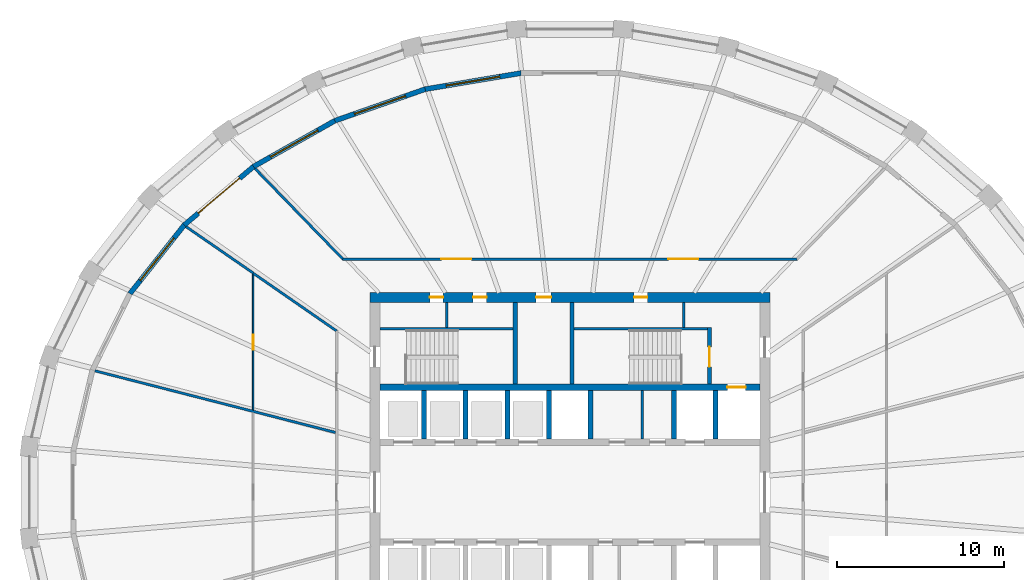
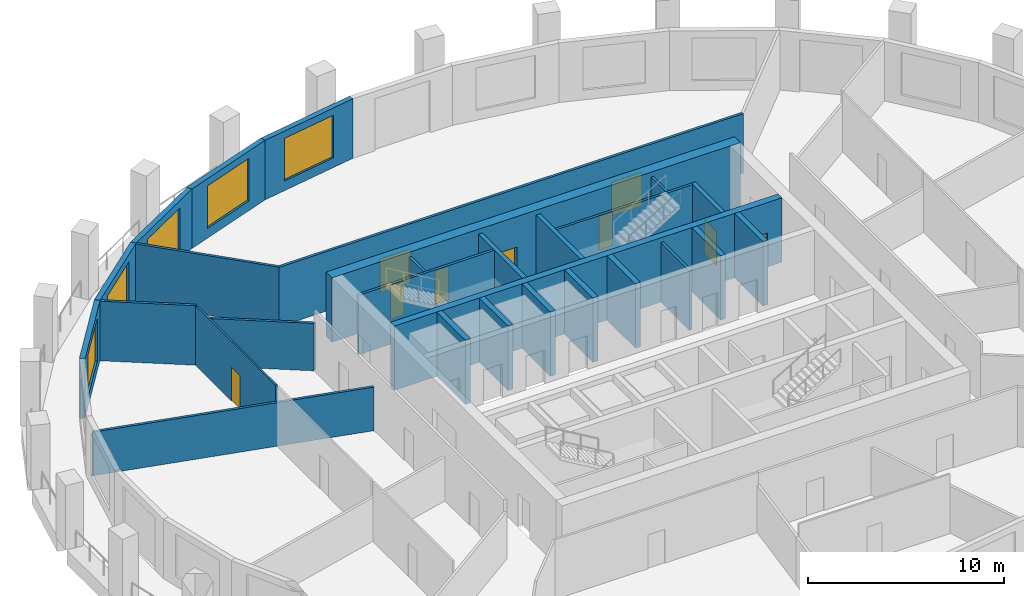
# One storey, part 6 of 10: 28 walls, 10 doors, 4 windows, 14 openings.
"""IFC4 building model written with IfcOpenShell, lengths in metres."""

from ifc_helpers import new_model, si_unit, direction, frame, frame_2d, origin, place, context, subcontext, project, spatial, polyline, rectangle, outline, extrude, material, layer, layer_set, type_object, element, fill, save


model = new_model("IFC4")

# Units and contexts
model_context = context("Model", 3, precision=1e-05, world=origin(), true_north=direction((0.0, 1.0)))
body_context = subcontext(model_context, "Body", "Model", "MODEL_VIEW")
ifc_project = project(units=[si_unit("LENGTHUNIT", "METRE"), si_unit("AREAUNIT", "SQUARE_METRE"), si_unit("VOLUMEUNIT", "CUBIC_METRE"), si_unit("PLANEANGLEUNIT", "RADIAN"), si_unit("MASSUNIT", "GRAM", prefix="KILO")], contexts=[model_context])

# Site, building, storey
site_placement = place(None, origin())
site = spatial("IfcSite", under=ifc_project, at=site_placement, CompositionType="ELEMENT")
building_placement = place(site_placement, origin())
building = spatial("IfcBuilding", under=site, at=building_placement, Name="Halqa Exchange Tower", CompositionType="ELEMENT")
storey_placement = place(building_placement, frame((0.0, 0.0, 194.89990234375)))
storey = spatial("IfcBuildingStorey", under=building, at=storey_placement, Name="L44", CompositionType="ELEMENT", Elevation=194.89990234375)

# Walls
ifc_material_1 = material(Name="Fire-rated gypsum board")
ifc_layer_1 = layer(ifc_material_1, 0.14990234375)
ifc_layer_set_1 = layer_set([ifc_layer_1], Name="Fire-rated gypsum board")
wall_type_1 = type_object("IfcWallType", Name="Fire partition EI 60 150", PredefinedType="PARTITIONING", material=ifc_layer_set_1)
wall_1_placement = place(storey_placement, frame((-28.494384765625, 7.294189453125, 0.0), z_axis=(0.0, 0.0, 1.0), x_axis=(0.96870063855, -0.248231893342, 0.0)))
element("IfcWall", 1, at=wall_1_placement, inside=storey, type_object=wall_type_1, Name="L44-PWL-002", PredefinedType="PARTITIONING", context=body_context, shape_type="SweptSolid", body=[
    extrude(outline(polyline([(0.0, -0.074951171875), (1.97314453125, -0.074951171875), (3.946533203125, -0.074951171875), (5.919677734375, -0.074951171875), (7.892822265625, -0.074951171875), (9.8662109375, -0.074951171875), (9.87158203125, -0.073486328125), (9.8720703125, -0.074951171875), (11.54931640625, -0.074951171875), (13.226806640625, -0.074951171875), (14.904296875, -0.074951171875), (14.904296875, -0.07421875), (14.865966796875, 0.074951171875), (13.156005859375, 0.074951171875), (11.446044921875, 0.074951171875), (9.736083984375, 0.074951171875), (9.730712890625, 0.073486328125), (9.730224609375, 0.074951171875), (7.787109375, 0.074951171875), (5.84375, 0.074951171875), (3.900634765625, 0.074951171875), (1.957275390625, 0.074951171875), (0.013916015625, 0.074951171875), (0.0, 0.0078125), (0.0, -0.074951171875)])), origin(), (0.0, 0.0, 1.0), 2.710205078125),
])
wall_2_placement = place(storey_placement, frame((-23.024169921875, 15.940185546875, 0.0), z_axis=(0.0, 0.0, 1.0), x_axis=(0.822739240619, -0.568418984505, 0.0)))
element("IfcWall", 2, at=wall_2_placement, inside=storey, type_object=wall_type_1, Name="L44-PWL-004", PredefinedType="PARTITIONING", context=body_context, shape_type="SweptSolid", body=[
    extrude(outline(polyline([(4.896728515625, 0.074951171875), (3.272705078125, 0.074951171875), (1.648681640625, 0.074951171875), (0.024658203125, 0.074951171875), (0.004638671875, 0.001708984375), (0.0, -0.0693359375), (0.0, -0.074951171875), (1.63232421875, -0.074951171875), (3.264404296875, -0.074951171875), (4.896728515625, -0.074951171875), (4.896728515625, 0.074951171875)])), origin(), (0.0, 0.0, 1.0), 3.7001953125),
])
wall_3_placement = place(storey_placement, frame((-19.0, 13.14990234375, 0.0), z_axis=(0.0, 0.0, 1.0), x_axis=(0.822301327334, -0.569052306088, 0.0)))
element("IfcWall", 3, at=wall_3_placement, inside=storey, type_object=wall_type_1, Name="L44-PWL-008", PredefinedType="PARTITIONING", context=body_context, shape_type="SweptSolid", body=[
    extrude(outline(polyline([(0.0, -0.074951171875), (1.51025390625, -0.074951171875), (3.0205078125, -0.074951171875), (4.53076171875, -0.074951171875), (6.041015625, -0.074951171875), (6.11962890625, 0.074951171875), (4.589599609375, 0.074951171875), (3.059814453125, 0.074951171875), (1.52978515625, 0.074951171875), (0.0, 0.074951171875), (0.0, -0.074951171875)])), origin(), (0.0, 0.0, 1.0), 2.947021484375),
])
wall_4_placement = place(storey_placement, frame((-18.89306640625, 19.427001953125, 0.0), z_axis=(0.0, 0.0, 1.0), x_axis=(0.696864554069, -0.717202756048, 0.0)))
element("IfcWall", 4, at=wall_4_placement, inside=storey, type_object=wall_type_1, Name="L44-PWL-009", PredefinedType="PARTITIONING", context=body_context, shape_type="SweptSolid", body=[
    extrude(outline(polyline([(0.0, -0.074951171875), (1.899658203125, -0.074951171875), (3.79931640625, -0.074951171875), (5.698974609375, -0.074951171875), (7.5986328125, -0.074951171875), (7.56689453125, 0.0), (7.53515625, 0.074951171875), (5.65771484375, 0.074951171875), (3.7802734375, 0.074951171875), (1.90283203125, 0.074951171875), (0.025390625, 0.074951171875), (0.0048828125, -0.002685546875), (0.0, -0.072998046875), (0.0, -0.074951171875)])), origin(), (0.0, 0.0, 1.0), 3.7001953125),
])

# Wall, openings, doors
wall_5_placement = place(storey_placement, frame((-13.651611328125, 14.0, 0.0), z_axis=(0.0, 0.0, 1.0), x_axis=(1.0, 0.0, 0.0)))
wall_5 = element("IfcWall", 5, at=wall_5_placement, inside=storey, type_object=wall_type_1, Name="L44-PWL-012", PredefinedType="PARTITIONING", context=body_context, shape_type="SweptSolid", body=[
    extrude(outline(polyline([(27.30322265625, -0.074951171875), (27.30322265625, -0.07470703125), (27.239990234375, 0.074951171875), (25.298828125, 0.074951171875), (23.357666015625, 0.074951171875), (21.416259765625, 0.074951171875), (19.47509765625, 0.074951171875), (17.533935546875, 0.074951171875), (15.5927734375, 0.074951171875), (13.651611328125, 0.074951171875), (11.71044921875, 0.074951171875), (9.769287109375, 0.074951171875), (7.828125, 0.074951171875), (5.886962890625, 0.074951171875), (3.945556640625, 0.074951171875), (2.00439453125, 0.074951171875), (0.063232421875, 0.074951171875), (0.0, -0.07470703125), (0.0, -0.074951171875), (1.9501953125, -0.074951171875), (3.900390625, -0.074951171875), (5.8505859375, -0.074951171875), (7.801025390625, -0.074951171875), (9.751220703125, -0.074951171875), (11.701416015625, -0.074951171875), (13.651611328125, -0.074951171875), (15.601806640625, -0.074951171875), (17.552001953125, -0.074951171875), (19.502197265625, -0.074951171875), (21.45263671875, -0.074951171875), (23.40283203125, -0.074951171875), (25.35302734375, -0.074951171875), (27.30322265625, -0.074951171875)])), origin(), (0.0, 0.0, 1.0), 3.7001953125),
])
opening_1_placement = place(wall_5_placement, frame((19.561767578125, 0.0, 0.0)))
opening_1 = element("IfcOpeningElement", 6, at=opening_1_placement, cuts=wall_5, Name="Opening 13-01", PredefinedType="OPENING", context=body_context, shape_type="SweptSolid", body=[
    extrude(rectangle(XDim=1.800048828125, YDim=2.10009765625, at=frame_2d((0.89990234375, 1.050048828125))), frame((0.0, 0.0869140625, 0.0), z_axis=(0.0, -1.0, 0.0), x_axis=(1.0, 0.0, 0.0)), (0.0, 0.0, 1.0), 0.173828125),
])
opening_2_placement = place(wall_5_placement, frame((5.941650390625, 0.0, 0.0)))
opening_2 = element("IfcOpeningElement", 7, at=opening_2_placement, cuts=wall_5, Name="Opening 13-02", PredefinedType="OPENING", context=body_context, shape_type="SweptSolid", body=[
    extrude(rectangle(XDim=1.800048828125, YDim=2.10009765625, at=frame_2d((0.89990234375, 1.050048828125))), frame((0.0, 0.0869140625, 0.0), z_axis=(0.0, -1.0, 0.0), x_axis=(1.0, 0.0, 0.0)), (0.0, 0.0, 1.0), 0.173828125),
])
ifc_material_2 = material(Name="Steel fire door leaf", Category="steel")
door_type_1 = type_object("IfcDoorType", Name="Fire door FD30S double 1800 x 2100", OperationType="DOUBLE_DOOR_SINGLE_SWING", PredefinedType="DOOR", material=ifc_material_2)
door_1_placement = place(opening_1_placement, origin())
door_1 = element("IfcDoor", 8, at=door_1_placement, inside=storey, type_object=door_type_1, Name="L44-IDR-001", OperationType="DOUBLE_DOOR_SINGLE_SWING", OverallHeight=2.10009765625, OverallWidth=1.800048828125, PredefinedType="DOOR", context=body_context, shape_type="SweptSolid", body=[
    extrude(rectangle(XDim=1.800048828125, YDim=2.10009765625, at=frame_2d((0.89990234375, 1.050048828125))), frame((0.0, 0.02490234375, 0.0), z_axis=(0.0, -1.0, 0.0), x_axis=(1.0, 0.0, 0.0)), (0.0, 0.0, 1.0), 0.050048828125),
])
fill(opening_1, door_1)
door_2_placement = place(opening_2_placement, origin())
door_2 = element("IfcDoor", 9, at=door_2_placement, inside=storey, type_object=door_type_1, Name="L44-IDR-002", OperationType="DOUBLE_DOOR_SINGLE_SWING", OverallHeight=2.10009765625, OverallWidth=1.800048828125, PredefinedType="DOOR", context=body_context, shape_type="SweptSolid", body=[
    extrude(rectangle(XDim=1.800048828125, YDim=2.10009765625, at=frame_2d((0.89990234375, 1.050048828125))), frame((0.0, 0.02490234375, 0.0), z_axis=(0.0, -1.0, 0.0), x_axis=(1.0, 0.0, 0.0)), (0.0, 0.0, 1.0), 0.050048828125),
])
fill(opening_2, door_2)

# Wall, opening, door
ifc_material_3 = material(Name="Gypsum board")
ifc_layer_2 = layer(ifc_material_3, 0.10009765625)
ifc_layer_set_2 = layer_set([ifc_layer_2], Name="Gypsum board")
wall_type_2 = type_object("IfcWallType", Name="Partition 100 gypsum", PredefinedType="PARTITIONING", material=ifc_layer_set_2)
wall_6_placement = place(storey_placement, frame((-19.0, 4.926025390625, 0.0), z_axis=(0.0, 0.0, 1.0), x_axis=(0.0, 1.0, 0.0)))
wall_6 = element("IfcWall", 10, at=wall_6_placement, inside=storey, type_object=wall_type_2, Name="L44-PWL-007", PredefinedType="PARTITIONING", context=body_context, shape_type="SweptSolid", body=[
    extrude(outline(polyline([(0.0, -0.050048828125), (1.61962890625, -0.050048828125), (3.2392578125, -0.050048828125), (4.85888671875, -0.050048828125), (6.478515625, -0.050048828125), (8.09814453125, -0.050048828125), (8.162353515625, 0.042724609375), (8.169189453125, 0.0380859375), (8.177001953125, 0.049560546875), (8.177001953125, 0.050048828125), (6.546630859375, 0.050048828125), (4.91650390625, 0.050048828125), (3.2861328125, 0.050048828125), (1.65576171875, 0.050048828125), (0.025390625, 0.050048828125), (0.0, -0.04931640625), (0.0, -0.050048828125)])), origin(), (0.0, 0.0, 1.0), 3.7001953125),
])
opening_3_placement = place(wall_6_placement, frame((3.62890625, 0.0, 0.0)))
opening_3 = element("IfcOpeningElement", 11, at=opening_3_placement, cuts=wall_6, Name="Opening 13-12", PredefinedType="OPENING", context=body_context, shape_type="SweptSolid", body=[
    extrude(rectangle(XDim=0.89990234375, YDim=2.10009765625, at=frame_2d((0.449951171875, 1.050048828125))), frame((0.0, 0.06201171875, 0.0), z_axis=(0.0, -1.0, 0.0), x_axis=(1.0, 0.0, 0.0)), (0.0, 0.0, 1.0), 0.1240234375),
])
ifc_material_4 = material(Name="Timber door leaf", Category="wood")
door_type_2 = type_object("IfcDoorType", Name="Door 900 x 2100", OperationType="SINGLE_SWING_LEFT", PredefinedType="DOOR", material=ifc_material_4)
door_3_placement = place(opening_3_placement, frame((0.89990234375, 0.0, 0.0), z_axis=(0.0, 0.0, 1.0), x_axis=(-1.0, 0.0, 0.0)))
door_3 = element("IfcDoor", 12, at=door_3_placement, inside=storey, type_object=door_type_2, Name="L44-IDR-012", OperationType="SINGLE_SWING_RIGHT", OverallHeight=2.10009765625, OverallWidth=0.89990234375, PredefinedType="DOOR", context=body_context, shape_type="SweptSolid", body=[
    extrude(rectangle(XDim=0.89990234375, YDim=2.10009765625, at=frame_2d((0.449951171875, 1.050048828125))), frame((0.0, 0.02490234375, 0.0), z_axis=(0.0, -1.0, 0.0), x_axis=(1.0, 0.0, 0.0)), (0.0, 0.0, 1.0), 0.050048828125),
])
fill(opening_3, door_3)

# Walls
ifc_layer_3 = layer(ifc_material_3, 0.14990234375)
ifc_layer_set_3 = layer_set([ifc_layer_3], Name="Gypsum board")
wall_type_3 = type_object("IfcWallType", Name="Penthouse riser wall 150 gypsum", PredefinedType="PARTITIONING", material=ifc_layer_set_3)
for number, where, z_axis, x_axis, name in (
    (13, (-7.39990234375, 9.89990234375, 0.0), (0.0, 0.0, 1.0), (0.0, 1.0, 0.0), "Partition W7.400 N"),
    (14, (6.824951171875, 9.89990234375, 0.0), (0.0, 0.0, 1.0), (0.0, 1.0, 0.0), "Firefighting lobby west wall N"),
):
    element("IfcWall", number, at=place(storey_placement, frame(where, z_axis=z_axis, x_axis=x_axis)), inside=storey, type_object=wall_type_3, Name=name, PredefinedType="PARTITIONING", context=body_context, shape_type="SweptSolid", body=[
        extrude(rectangle(XDim=1.5, YDim=0.14990234375, at=frame_2d((0.75, 0.0))), origin(), (0.0, 0.0, 1.0), 3.7001953125),
    ])
wall_7_placement = place(storey_placement, frame((4.35009765625, 3.199951171875, 0.0), z_axis=(0.0, 0.0, 1.0), x_axis=(0.0, 1.0, 0.0)))
element("IfcWall", 15, at=wall_7_placement, inside=storey, type_object=wall_type_3, Name="Freed bay partition NE4.350", PredefinedType="PARTITIONING", context=body_context, shape_type="SweptSolid", body=[
    extrude(rectangle(XDim=2.900146484375, YDim=0.14990234375, at=frame_2d((1.4501953125, 0.0))), origin(), (0.0, 0.0, 1.0), 3.7001953125),
])
ifc_material_5 = material(Name="Concrete C60/75", Category="concrete")
ifc_layer_4 = layer(ifc_material_5, 0.300048828125)
ifc_layer_set_4 = layer_set([ifc_layer_4], Name="Concrete C60/75")
wall_type_4 = type_object("IfcWallType", Name="RC core wall 300", PredefinedType="SHEAR", material=ifc_layer_set_4)
for number, where, z_axis, x_axis, name in (
    (16, (-8.75, 3.199951171875, 0.0), (0.0, 0.0, 1.0), (0.0, 1.0, 0.0), "Shaft divider N1"),
    (17, (-6.25, 3.199951171875, 0.0), (0.0, 0.0, 1.0), (0.0, 1.0, 0.0), "Shaft divider N2"),
    (18, (-3.75, 3.199951171875, 0.0), (0.0, 0.0, 1.0), (0.0, 1.0, 0.0), "Shaft divider N3"),
    (19, (-1.25, 3.199951171875, 0.0), (0.0, 0.0, 1.0), (0.0, 1.0, 0.0), "Shaft divider N4"),
    (20, (1.25, 3.199951171875, 0.0), (0.0, 0.0, 1.0), (0.0, 1.0, 0.0), "Shaft divider N5"),
    (21, (6.25, 3.199951171875, 0.0), (0.0, 0.0, 1.0), (0.0, 1.0, 0.0), "Shaft divider N7"),
    (22, (8.75, 3.199951171875, 0.0), (0.0, 0.0, 1.0), (0.0, 1.0, 0.0), "Shaft divider N8"),
):
    element("IfcWall", number, at=place(storey_placement, frame(where, z_axis=z_axis, x_axis=x_axis)), inside=storey, type_object=wall_type_4, Name=name, PredefinedType="SHEAR", context=body_context, shape_type="SweptSolid", body=[
        extrude(rectangle(XDim=2.900146484375, YDim=0.300048828125, at=frame_2d((1.4501953125, 0.0))), origin(), (0.0, 0.0, 1.0), 4.0),
    ])

# Wall, opening, door
ifc_material_6 = material(Name="Concrete C70/85", Category="concrete")
ifc_layer_5 = layer(ifc_material_6, 0.39990234375)
ifc_layer_set_5 = layer_set([ifc_layer_5], Name="Concrete C70/85")
wall_type_5 = type_object("IfcWallType", Name="RC core wall 400 C70/85", PredefinedType="SHEAR", material=ifc_layer_set_5)
wall_8_placement = place(storey_placement, frame((-11.39990234375, 6.300048828125, 0.0), z_axis=(0.0, 0.0, 1.0), x_axis=(1.0, 0.0, 0.0)))
wall_8 = element("IfcWall", 23, at=wall_8_placement, inside=storey, type_object=wall_type_5, Name="Lift row back wall N", PredefinedType="SHEAR", context=body_context, shape_type="SweptSolid", body=[
    extrude(rectangle(XDim=22.7998046875, YDim=0.39990234375, at=frame_2d((11.39990234375, 0.0))), origin(), (0.0, 0.0, 1.0), 4.0),
])
opening_4_placement = place(wall_8_placement, frame((20.85009765625, 0.0, 0.0)))
opening_4 = element("IfcOpeningElement", 24, at=opening_4_placement, cuts=wall_8, Name="Opening LD-FF1-T13", PredefinedType="OPENING", context=body_context, shape_type="SweptSolid", body=[
    extrude(rectangle(XDim=1.10009765625, YDim=2.10009765625, at=frame_2d((0.550048828125, 1.050048828125))), frame((0.0, 0.2119140625, 0.0), z_axis=(0.0, -1.0, 0.0), x_axis=(1.0, 0.0, 0.0)), (0.0, 0.0, 1.0), 0.423828125),
])
ifc_material_7 = material(Name="Stainless steel", Category="steel")
door_type_3 = type_object("IfcDoorType", Name="Lift landing door 1100 x 2100", OperationType="SLIDING_TO_LEFT", PredefinedType="DOOR", material=ifc_material_7)
door_4_placement = place(opening_4_placement, origin())
door_4 = element("IfcDoor", 25, at=door_4_placement, inside=storey, type_object=door_type_3, Name="Lift landing door FF1", OperationType="SLIDING_TO_LEFT", OverallHeight=2.10009765625, OverallWidth=1.10009765625, PredefinedType="DOOR", context=body_context, shape_type="SweptSolid", body=[
    extrude(rectangle(XDim=1.10009765625, YDim=2.10009765625, at=frame_2d((0.550048828125, 1.050048828125))), frame((0.0, 0.02490234375, 0.0), z_axis=(0.0, -1.0, 0.0), x_axis=(1.0, 0.0, 0.0)), (0.0, 0.0, 1.0), 0.050048828125),
])
fill(opening_4, door_4)

# Wall, openings, doors
ifc_layer_6 = layer(ifc_material_6, 0.60009765625)
ifc_layer_set_6 = layer_set([ifc_layer_6], Name="Concrete C70/85")
wall_type_6 = type_object("IfcWallType", Name="RC core wall 600 C70/85", PredefinedType="SHEAR", material=ifc_layer_set_6)
wall_9_placement = place(storey_placement, frame((-12.0, 11.699951171875, 0.0), z_axis=(0.0, 0.0, 1.0), x_axis=(1.0, 0.0, 0.0)))
wall_9 = element("IfcWall", 26, at=wall_9_placement, inside=storey, type_object=wall_type_6, Name="Core wall north", PredefinedType="SHEAR", context=body_context, shape_type="SweptSolid", body=[
    extrude(rectangle(XDim=24.0, YDim=0.60009765625, at=frame_2d((12.0, 0.0))), origin(), (0.0, 0.0, 1.0), 4.0),
])
opening_5_placement = place(wall_9_placement, frame((9.97509765625, 0.0, 0.0)))
opening_5 = element("IfcOpeningElement", 27, at=opening_5_placement, cuts=wall_9, Name="Opening T13-C21", PredefinedType="OPENING", context=body_context, shape_type="SweptSolid", body=[
    extrude(rectangle(XDim=0.89990234375, YDim=2.10009765625, at=frame_2d((0.449951171875, 1.050048828125))), frame((0.0, 0.31201171875, 0.0), z_axis=(0.0, -1.0, 0.0), x_axis=(1.0, 0.0, 0.0)), (0.0, 0.0, 1.0), 0.6240234375),
])
opening_6_placement = place(wall_9_placement, frame((3.60009765625, 0.0, 0.0)))
opening_6 = element("IfcOpeningElement", 28, at=opening_6_placement, cuts=wall_9, Name="Opening T13-C22", PredefinedType="OPENING", context=body_context, shape_type="SweptSolid", body=[
    extrude(rectangle(XDim=0.800048828125, YDim=2.10009765625, at=frame_2d((0.39990234375, 1.050048828125))), frame((0.0, 0.31201171875, 0.0), z_axis=(0.0, -1.0, 0.0), x_axis=(1.0, 0.0, 0.0)), (0.0, 0.0, 1.0), 0.6240234375),
])
opening_7_placement = place(wall_9_placement, frame((6.199951171875, 0.0, 0.0)))
opening_7 = element("IfcOpeningElement", 29, at=opening_7_placement, cuts=wall_9, Name="Opening T13-C23", PredefinedType="OPENING", context=body_context, shape_type="SweptSolid", body=[
    extrude(rectangle(XDim=0.800048828125, YDim=2.10009765625, at=frame_2d((0.39990234375, 1.050048828125))), frame((0.0, 0.31201171875, 0.0), z_axis=(0.0, -1.0, 0.0), x_axis=(1.0, 0.0, 0.0)), (0.0, 0.0, 1.0), 0.6240234375),
])
opening_8_placement = place(wall_9_placement, frame((15.85009765625, 0.0, 0.0)))
opening_8 = element("IfcOpeningElement", 30, at=opening_8_placement, cuts=wall_9, Name="Opening T13-C24", PredefinedType="OPENING", context=body_context, shape_type="SweptSolid", body=[
    extrude(rectangle(XDim=0.800048828125, YDim=2.10009765625, at=frame_2d((0.39990234375, 1.050048828125))), frame((0.0, 0.31201171875, 0.0), z_axis=(0.0, -1.0, 0.0), x_axis=(1.0, 0.0, 0.0)), (0.0, 0.0, 1.0), 0.6240234375),
])
ifc_material_8 = material(Name="Timber fire door leaf", Category="wood")
door_type_4 = type_object("IfcDoorType", Name="Core room door FD30 900 x 2100", OperationType="SINGLE_SWING_LEFT", PredefinedType="DOOR", material=ifc_material_8)
door_5_placement = place(opening_5_placement, frame((0.89990234375, 0.0, 0.0), z_axis=(0.0, 0.0, 1.0), x_axis=(-1.0, 0.0, 0.0)))
door_5 = element("IfcDoor", 31, at=door_5_placement, inside=storey, type_object=door_type_4, Name="Core room door", OperationType="SINGLE_SWING_RIGHT", OverallHeight=2.10009765625, OverallWidth=0.89990234375, PredefinedType="DOOR", context=body_context, shape_type="SweptSolid", body=[
    extrude(rectangle(XDim=0.89990234375, YDim=2.10009765625, at=frame_2d((0.449951171875, 1.050048828125))), frame((0.0, 0.02490234375, 0.0), z_axis=(0.0, -1.0, 0.0), x_axis=(1.0, 0.0, 0.0)), (0.0, 0.0, 1.0), 0.050048828125),
])
fill(opening_5, door_5)
door_type_5 = type_object("IfcDoorType", Name="Riser door FD60 800 x 2100", OperationType="SINGLE_SWING_LEFT", PredefinedType="DOOR", material=ifc_material_2)
door_6_placement = place(opening_6_placement, frame((0.800048828125, 0.0, 0.0), z_axis=(0.0, 0.0, 1.0), x_axis=(-1.0, 0.0, 0.0)))
door_6 = element("IfcDoor", 32, at=door_6_placement, inside=storey, type_object=door_type_5, Name="Core room door", OperationType="SINGLE_SWING_RIGHT", OverallHeight=2.10009765625, OverallWidth=0.800048828125, PredefinedType="DOOR", context=body_context, shape_type="SweptSolid", body=[
    extrude(rectangle(XDim=0.800048828125, YDim=2.10009765625, at=frame_2d((0.39990234375, 1.050048828125))), frame((0.0, 0.02490234375, 0.0), z_axis=(0.0, -1.0, 0.0), x_axis=(1.0, 0.0, 0.0)), (0.0, 0.0, 1.0), 0.050048828125),
])
fill(opening_6, door_6)
door_7_placement = place(opening_7_placement, frame((0.800048828125, 0.0, 0.0), z_axis=(0.0, 0.0, 1.0), x_axis=(-1.0, 0.0, 0.0)))
door_7 = element("IfcDoor", 33, at=door_7_placement, inside=storey, type_object=door_type_5, Name="Core room door", OperationType="SINGLE_SWING_RIGHT", OverallHeight=2.10009765625, OverallWidth=0.800048828125, PredefinedType="DOOR", context=body_context, shape_type="SweptSolid", body=[
    extrude(rectangle(XDim=0.800048828125, YDim=2.10009765625, at=frame_2d((0.39990234375, 1.050048828125))), frame((0.0, 0.02490234375, 0.0), z_axis=(0.0, -1.0, 0.0), x_axis=(1.0, 0.0, 0.0)), (0.0, 0.0, 1.0), 0.050048828125),
])
fill(opening_7, door_7)
door_8_placement = place(opening_8_placement, frame((0.800048828125, 0.0, 0.0), z_axis=(0.0, 0.0, 1.0), x_axis=(-1.0, 0.0, 0.0)))
door_8 = element("IfcDoor", 34, at=door_8_placement, inside=storey, type_object=door_type_5, Name="Core room door", OperationType="SINGLE_SWING_RIGHT", OverallHeight=2.10009765625, OverallWidth=0.800048828125, PredefinedType="DOOR", context=body_context, shape_type="SweptSolid", body=[
    extrude(rectangle(XDim=0.800048828125, YDim=2.10009765625, at=frame_2d((0.39990234375, 1.050048828125))), frame((0.0, 0.02490234375, 0.0), z_axis=(0.0, -1.0, 0.0), x_axis=(1.0, 0.0, 0.0)), (0.0, 0.0, 1.0), 0.050048828125),
])
fill(opening_8, door_8)

# Walls
ifc_material_9 = material(Name="Concrete C30/37", Category="concrete")
ifc_layer_7 = layer(ifc_material_9, 0.14990234375)
ifc_layer_set_7 = layer_set([ifc_layer_7], Name="Concrete C30/37")
wall_type_7 = type_object("IfcWallType", Name="RC stair wall 150 C30/37", PredefinedType="SHEAR", material=ifc_layer_set_7)
for number, where, z_axis, x_axis, name in (
    (35, (-11.39990234375, 9.824951171875, 0.0), (0.0, 0.0, 1.0), (1.0, 0.0, 0.0), "Stair ST1 north wall N"),
    (36, (0.25, 9.824951171875, 0.0), (0.0, 0.0, 1.0), (1.0, 0.0, 0.0), "Stair ST2 north wall N"),
):
    element("IfcWall", number, at=place(storey_placement, frame(where, z_axis=z_axis, x_axis=x_axis)), inside=storey, type_object=wall_type_7, Name=name, PredefinedType="SHEAR", context=body_context, shape_type="SweptSolid", body=[
        extrude(rectangle(XDim=8.0, YDim=0.14990234375, at=frame_2d((4.0, 0.0))), origin(), (0.0, 0.0, 1.0), 3.7001953125),
    ])
ifc_layer_8 = layer(ifc_material_9, 0.25)
ifc_layer_set_8 = layer_set([ifc_layer_8], Name="Concrete C30/37")
wall_type_8 = type_object("IfcWallType", Name="RC stair wall 250 C30/37", PredefinedType="SHEAR", material=ifc_layer_set_8)
for number, where, z_axis, x_axis, name in (
    (37, (-3.27490234375, 6.5, 0.0), (0.0, 0.0, 1.0), (0.0, 1.0, 0.0), "Stair ST1 east wall N"),
    (38, (0.125, 6.5, 0.0), (0.0, 0.0, 1.0), (0.0, 1.0, 0.0), "Stair ST2 west wall N"),
):
    element("IfcWall", number, at=place(storey_placement, frame(where, z_axis=z_axis, x_axis=x_axis)), inside=storey, type_object=wall_type_8, Name=name, PredefinedType="SHEAR", context=body_context, shape_type="SweptSolid", body=[
        extrude(rectangle(XDim=4.89990234375, YDim=0.25, at=frame_2d((2.449951171875, 0.0))), origin(), (0.0, 0.0, 1.0), 3.7001953125),
    ])

# Wall, opening, door
wall_10_placement = place(storey_placement, frame((8.375, 6.5, 0.0), z_axis=(0.0, 0.0, 1.0), x_axis=(0.0, 1.0, 0.0)))
wall_10 = element("IfcWall", 39, at=wall_10_placement, inside=storey, type_object=wall_type_8, Name="Stair ST2 east wall N", PredefinedType="SHEAR", context=body_context, shape_type="SweptSolid", body=[
    extrude(rectangle(XDim=3.39990234375, YDim=0.25, at=frame_2d((1.699951171875, 0.0))), origin(), (0.0, 0.0, 1.0), 3.7001953125),
])
opening_9_placement = place(wall_10_placement, frame((1.02490234375, 0.0, 0.0)))
opening_9 = element("IfcOpeningElement", 40, at=opening_9_placement, cuts=wall_10, Name="Opening T13-C16", PredefinedType="OPENING", context=body_context, shape_type="SweptSolid", body=[
    extrude(rectangle(XDim=1.199951171875, YDim=2.10009765625, at=frame_2d((0.60009765625, 1.050048828125))), frame((0.0, 0.136962890625, 0.0), z_axis=(0.0, -1.0, 0.0), x_axis=(1.0, 0.0, 0.0)), (0.0, 0.0, 1.0), 0.27392578125),
])
door_type_6 = type_object("IfcDoorType", Name="Stair door FD90 1200 x 2100", OperationType="SINGLE_SWING_LEFT", PredefinedType="DOOR", material=ifc_material_2)
door_9_placement = place(opening_9_placement, origin())
door_9 = element("IfcDoor", 41, at=door_9_placement, inside=storey, type_object=door_type_6, Name="Stair door ST2", OperationType="SINGLE_SWING_LEFT", OverallHeight=2.10009765625, OverallWidth=1.199951171875, PredefinedType="DOOR", context=body_context, shape_type="SweptSolid", body=[
    extrude(rectangle(XDim=1.199951171875, YDim=2.10009765625, at=frame_2d((0.60009765625, 1.050048828125))), frame((0.0, 0.02490234375, 0.0), z_axis=(0.0, -1.0, 0.0), x_axis=(1.0, 0.0, 0.0)), (0.0, 0.0, 1.0), 0.050048828125),
])
fill(opening_9, door_9)

# Wall, opening, window
ifc_material_10 = material(Name="Limestone cladding", Category="masonry")
ifc_layer_9 = layer(ifc_material_10, 0.0400390625)
ifc_material_11 = material(Name="Ventilated cavity")
ifc_layer_10 = layer(ifc_material_11, 0.030029296875, ventilated=True)
ifc_material_12 = material(Name="Mineral wool insulation")
ifc_layer_11 = layer(ifc_material_12, 0.10009765625)
ifc_layer_12 = layer(ifc_material_9, 0.10009765625)
ifc_material_13 = material(Name="Internal plaster")
ifc_layer_13 = layer(ifc_material_13, 0.030029296875)
ifc_layer_set_9 = layer_set([ifc_layer_9, ifc_layer_10, ifc_layer_11, ifc_layer_12, ifc_layer_13], Name="Stone-faced insulated wall 300")
wall_type_9 = type_object("IfcWallType", Name="Stone-faced insulated wall 300", PredefinedType="STANDARD", material=ifc_layer_set_9)
wall_11_placement = place(storey_placement, frame((-2.931396484375, 25.15380859375, 0.0), z_axis=(0.0, 0.0, 1.0), x_axis=(-0.986207709048, -0.165512400181, 0.0)))
wall_11 = element("IfcWall", 42, at=wall_11_placement, inside=storey, type_object=wall_type_9, Name="Glass-line wall 9", PredefinedType="STANDARD", context=body_context, shape_type="SweptSolid", body=[
    extrude(outline(polyline([(-0.012451171875, -0.14990234375), (5.843505859375, -0.14990234375), (5.818115234375, 0.14990234375), (0.012451171875, 0.14990234375), (-0.012451171875, -0.14990234375)])), origin(), (0.0, 0.0, 1.0), 3.7001953125),
])
opening_10_placement = place(wall_11_placement, frame((1.29052734375, 0.0, 0.60009765625)))
opening_10 = element("IfcOpeningElement", 43, at=opening_10_placement, cuts=wall_11, Name="Opening W-F3-09", PredefinedType="OPENING", context=body_context, shape_type="SweptSolid", body=[
    extrude(rectangle(XDim=3.25, YDim=2.64990234375, at=frame_2d((1.625, 1.324951171875))), frame((0.0, 0.162109375, 0.0), z_axis=(0.0, -1.0, 0.0), x_axis=(1.0, 0.0, 0.0)), (0.0, 0.0, 1.0), 0.323974609375),
])
ifc_material_14 = material(Name="Clear low-emissivity glass in aluminium frame", Category="aluminium")
window_type = type_object("IfcWindowType", Name="Fixed clear glazed window 3250 x 2650", PartitioningType="TRIPLE_PANEL_VERTICAL", PredefinedType="WINDOW", material=ifc_material_14)
window_1_placement = place(opening_10_placement, origin())
window_1 = element("IfcWindow", 44, at=window_1_placement, inside=storey, type_object=window_type, Name="Window 3", OverallHeight=2.64990234375, OverallWidth=3.25, PartitioningType="TRIPLE_PANEL_VERTICAL", PredefinedType="WINDOW", context=body_context, shape_type="SweptSolid", body=[
    extrude(rectangle(XDim=3.25, YDim=2.64990234375, at=frame_2d((1.625, 1.324951171875))), frame((0.0, 0.030029296875, 0.0), z_axis=(0.0, -1.0, 0.0), x_axis=(1.0, 0.0, 0.0)), (0.0, 0.0, 1.0), 0.06005859375),
])
fill(opening_10, window_1)

wall_12_placement = place(storey_placement, frame((-8.681884765625, 24.188720703125, 0.0), z_axis=(0.0, 0.0, 1.0), x_axis=(-0.944020060936, -0.329888048511, 0.0)))
wall_12 = element("IfcWall", 45, at=wall_12_placement, inside=storey, type_object=wall_type_9, Name="Glass-line wall 10", PredefinedType="STANDARD", context=body_context, shape_type="SweptSolid", body=[
    extrude(outline(polyline([(-0.0126953125, -0.14990234375), (5.752685546875, -0.14990234375), (5.725830078125, 0.14990234375), (0.0126953125, 0.14990234375), (-0.0126953125, -0.14990234375)])), origin(), (0.0, 0.0, 1.0), 3.7001953125),
])
opening_11_placement = place(wall_12_placement, frame((1.24462890625, 0.0, 0.60009765625)))
opening_11 = element("IfcOpeningElement", 46, at=opening_11_placement, cuts=wall_12, Name="Opening W-F3-10", PredefinedType="OPENING", context=body_context, shape_type="SweptSolid", body=[
    extrude(rectangle(XDim=3.25, YDim=2.64990234375, at=frame_2d((1.625, 1.324951171875))), frame((0.0, 0.162109375, 0.0), z_axis=(0.0, -1.0, 0.0), x_axis=(1.0, 0.0, 0.0)), (0.0, 0.0, 1.0), 0.323974609375),
])
window_2_placement = place(opening_11_placement, origin())
window_2 = element("IfcWindow", 47, at=window_2_placement, inside=storey, type_object=window_type, Name="Window 3", OverallHeight=2.64990234375, OverallWidth=3.25, PartitioningType="TRIPLE_PANEL_VERTICAL", PredefinedType="WINDOW", context=body_context, shape_type="SweptSolid", body=[
    extrude(rectangle(XDim=3.25, YDim=2.64990234375, at=frame_2d((1.625, 1.324951171875))), frame((0.0, 0.030029296875, 0.0), z_axis=(0.0, -1.0, 0.0), x_axis=(1.0, 0.0, 0.0)), (0.0, 0.0, 1.0), 0.06005859375),
])
fill(opening_11, window_2)

wall_13_placement = place(storey_placement, frame((-14.099853515625, 22.29541015625, 0.0), z_axis=(0.0, 0.0, 1.0), x_axis=(-0.871083701819, -0.491134588912, 0.0)))
wall_13 = element("IfcWall", 48, at=wall_13_placement, inside=storey, type_object=wall_type_9, Name="Glass-line wall 11", PredefinedType="STANDARD", context=body_context, shape_type="SweptSolid", body=[
    extrude(outline(polyline([(-0.013427734375, -0.14990234375), (5.613525390625, -0.14990234375), (5.585205078125, 0.14990234375), (0.013427734375, 0.14990234375), (-0.013427734375, -0.14990234375)])), origin(), (0.0, 0.0, 1.0), 3.7001953125),
])
opening_12_placement = place(wall_13_placement, frame((1.1748046875, 0.0, 0.60009765625)))
opening_12 = element("IfcOpeningElement", 49, at=opening_12_placement, cuts=wall_13, Name="Opening W-F3-11", PredefinedType="OPENING", context=body_context, shape_type="SweptSolid", body=[
    extrude(rectangle(XDim=3.25, YDim=2.64990234375, at=frame_2d((1.625, 1.324951171875))), frame((0.0, 0.162109375, 0.0), z_axis=(0.0, -1.0, 0.0), x_axis=(1.0, 0.0, 0.0)), (0.0, 0.0, 1.0), 0.323974609375),
])
window_3_placement = place(opening_12_placement, origin())
window_3 = element("IfcWindow", 50, at=window_3_placement, inside=storey, type_object=window_type, Name="Window 3", OverallHeight=2.64990234375, OverallWidth=3.25, PartitioningType="TRIPLE_PANEL_VERTICAL", PredefinedType="WINDOW", context=body_context, shape_type="SweptSolid", body=[
    extrude(rectangle(XDim=3.25, YDim=2.64990234375, at=frame_2d((1.625, 1.324951171875))), frame((0.0, 0.030029296875, 0.0), z_axis=(0.0, -1.0, 0.0), x_axis=(1.0, 0.0, 0.0)), (0.0, 0.0, 1.0), 0.06005859375),
])
fill(opening_12, window_3)

# Wall, opening, door
wall_14_placement = place(storey_placement, frame((-18.977294921875, 19.54541015625, 0.0), z_axis=(0.0, 0.0, 1.0), x_axis=(-0.764330261608, -0.644824977176, 0.0)))
wall_14 = element("IfcWall", 51, at=wall_14_placement, inside=storey, type_object=wall_type_9, Name="Glass-line wall 12", PredefinedType="STANDARD", context=body_context, shape_type="SweptSolid", body=[
    extrude(outline(polyline([(-0.01416015625, -0.14990234375), (5.4453125, -0.14990234375), (5.4150390625, 0.14990234375), (0.01416015625, 0.14990234375), (-0.01416015625, -0.14990234375)])), origin(), (0.0, 0.0, 1.0), 3.7001953125),
])
opening_13_placement = place(wall_14_placement, frame((1.090087890625, 0.0, 0.0)))
opening_13 = element("IfcOpeningElement", 52, at=opening_13_placement, cuts=wall_14, Name="Opening LG-F3-03", PredefinedType="OPENING", context=body_context, shape_type="SweptSolid", body=[
    extrude(rectangle(XDim=3.25, YDim=3.25, at=frame_2d((1.625, 1.625))), frame((0.0, 0.162109375, 0.0), z_axis=(0.0, -1.0, 0.0), x_axis=(1.0, 0.0, 0.0)), (0.0, 0.0, 1.0), 0.323974609375),
])
door_type_7 = type_object("IfcDoorType", Name="Glazed sliding loggia door 3250 x 3250", OperationType="DOUBLE_DOOR_SLIDING", PredefinedType="DOOR", material=ifc_material_14)
door_10_placement = place(opening_13_placement, origin())
door_10 = element("IfcDoor", 53, at=door_10_placement, inside=storey, type_object=door_type_7, Name="Loggia door 3", OperationType="DOUBLE_DOOR_SLIDING", OverallHeight=3.25, OverallWidth=3.25, PredefinedType="DOOR", context=body_context, shape_type="SweptSolid", body=[
    extrude(rectangle(XDim=3.25, YDim=3.25, at=frame_2d((1.625, 1.625))), frame((0.0, 0.02490234375, 0.0), z_axis=(0.0, -1.0, 0.0), x_axis=(1.0, 0.0, 0.0)), (0.0, 0.0, 1.0), 0.050048828125),
])
fill(opening_13, door_10)

# Wall, opening, window
wall_15_placement = place(storey_placement, frame((-23.127685546875, 16.0439453125, 0.0), z_axis=(0.0, 0.0, 1.0), x_axis=(-0.620829074232, -0.783945955145, 0.0)))
wall_15 = element("IfcWall", 54, at=wall_15_placement, inside=storey, type_object=wall_type_9, Name="Glass-line wall 13", PredefinedType="STANDARD", context=body_context, shape_type="SweptSolid", body=[
    extrude(outline(polyline([(-0.01513671875, -0.14990234375), (5.27099609375, -0.14990234375), (5.23876953125, 0.14990234375), (0.01513671875, 0.14990234375), (-0.01513671875, -0.14990234375)])), origin(), (0.0, 0.0, 1.0), 3.7001953125),
])
opening_14_placement = place(wall_15_placement, frame((1.002685546875, 0.0, 0.60009765625)))
opening_14 = element("IfcOpeningElement", 55, at=opening_14_placement, cuts=wall_15, Name="Opening W-F3-13", PredefinedType="OPENING", context=body_context, shape_type="SweptSolid", body=[
    extrude(rectangle(XDim=3.25, YDim=2.64990234375, at=frame_2d((1.625, 1.324951171875))), frame((0.0, 0.162109375, 0.0), z_axis=(0.0, -1.0, 0.0), x_axis=(1.0, 0.0, 0.0)), (0.0, 0.0, 1.0), 0.323974609375),
])
window_4_placement = place(opening_14_placement, origin())
window_4 = element("IfcWindow", 56, at=window_4_placement, inside=storey, type_object=window_type, Name="Window 3", OverallHeight=2.64990234375, OverallWidth=3.25, PartitioningType="TRIPLE_PANEL_VERTICAL", PredefinedType="WINDOW", context=body_context, shape_type="SweptSolid", body=[
    extrude(rectangle(XDim=3.25, YDim=2.64990234375, at=frame_2d((1.625, 1.324951171875))), frame((0.0, 0.030029296875, 0.0), z_axis=(0.0, -1.0, 0.0), x_axis=(1.0, 0.0, 0.0)), (0.0, 0.0, 1.0), 0.06005859375),
])
fill(opening_14, window_4)

save(model, "model.ifc")
